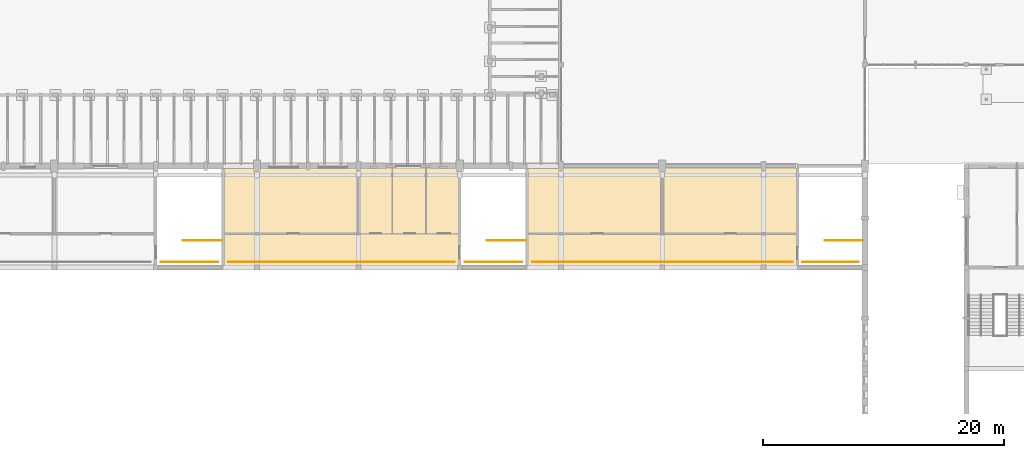
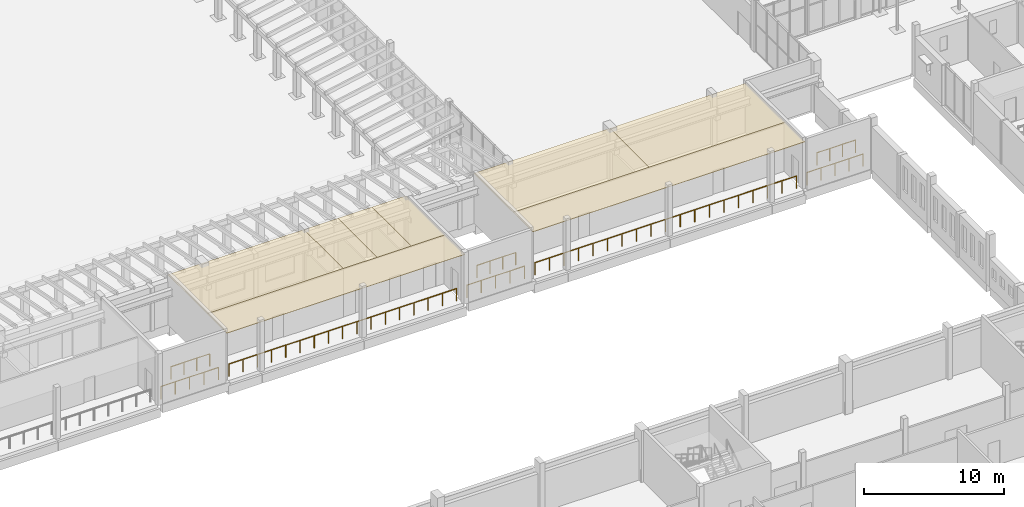
# One storey, part 54 of 60: 8 coverings, 8 railings.
"""IFC4 building model written with IfcOpenShell, lengths in metres."""

from ifc_helpers import new_model, si_unit, direction, frame, origin, origin_2d, place, context, subcontext, project, spatial, rectangle, circle, extrude, material, type_object, element, save


model = new_model("IFC4")

# Units and contexts
model_context = context("Model", 3, precision=1e-05, world=origin(), true_north=direction((0.0, 1.0)))
body_context = subcontext(model_context, "Body", "Model", "MODEL_VIEW")
ifc_project = project(units=[si_unit("LENGTHUNIT", "METRE"), si_unit("AREAUNIT", "SQUARE_METRE"), si_unit("VOLUMEUNIT", "CUBIC_METRE"), si_unit("PLANEANGLEUNIT", "RADIAN"), si_unit("MASSUNIT", "GRAM", prefix="KILO")], contexts=[model_context])

# Site, building, storey
site_placement = place(None, origin())
site = spatial("IfcSite", under=ifc_project, at=site_placement, CompositionType="ELEMENT")
building_placement = place(site_placement, origin())
building = spatial("IfcBuilding", under=site, at=building_placement, Name="Fescue Hill Polytechnic", CompositionType="ELEMENT")
storey_placement = place(building_placement, frame((0.0, 0.0, 4.5)))
storey = spatial("IfcBuildingStorey", under=building, at=storey_placement, Name="L01", CompositionType="ELEMENT", Elevation=4.5)

# Railings
ifc_material = material(Name="Steel 350W (350 MPa)", Category="steel")
railing_type_1 = type_object("IfcRailingType", Name="Stair guard steel 1100", PredefinedType="GUARDRAIL", material=ifc_material)
railing_1_placement = place(storey_placement, frame((64.27490234375, 44.22509765625, 0.0)))
element("IfcRailing", 1, at=railing_1_placement, inside=storey, type_object=railing_type_1, Name="L01 ST-V1-7 well guard 1", PredefinedType="GUARDRAIL", context=body_context, shape_type="SweptSolid", body=[
    extrude(circle(Radius=0.02392578125, at=origin_2d()), frame((0.0, 0.0, 1.076171875), z_axis=(-1.0, 0.0, 0.0), x_axis=(0.0, -1.0, 0.0)), (0.0, 0.0, 1.0), 3.199951171875),
    extrude(circle(Radius=0.02099609375, at=origin_2d()), origin(), (0.0, 0.0, 1.0), 1.052001953125),
    extrude(circle(Radius=0.02099609375, at=origin_2d()), frame((-1.066650390625, 0.0, 0.0)), (0.0, 0.0, 1.0), 1.052001953125),
    extrude(circle(Radius=0.02099609375, at=origin_2d()), frame((-2.13330078125, 0.0, 0.0)), (0.0, 0.0, 1.0), 1.052001953125),
    extrude(circle(Radius=0.02099609375, at=origin_2d()), frame((-3.199951171875, 0.0, 0.0)), (0.0, 0.0, 1.0), 1.052001953125),
])
railing_2_placement = place(storey_placement, frame((89.47509765625, 44.22509765625, 0.0)))
element("IfcRailing", 2, at=railing_2_placement, inside=storey, type_object=railing_type_1, Name="L01 ST-V1-8 well guard 1", PredefinedType="GUARDRAIL", context=body_context, shape_type="SweptSolid", body=[
    extrude(circle(Radius=0.02392578125, at=origin_2d()), frame((0.0, 0.0, 1.076171875), z_axis=(-1.0, 0.0, 0.0), x_axis=(0.0, -1.0, 0.0)), (0.0, 0.0, 1.0), 3.2001953125),
    extrude(circle(Radius=0.02099609375, at=origin_2d()), origin(), (0.0, 0.0, 1.0), 1.052001953125),
    extrude(circle(Radius=0.02099609375, at=origin_2d()), frame((-1.066650390625, 0.0, 0.0)), (0.0, 0.0, 1.0), 1.052001953125),
    extrude(circle(Radius=0.02099609375, at=origin_2d()), frame((-2.133544921875, 0.0, 0.0)), (0.0, 0.0, 1.0), 1.052001953125),
    extrude(circle(Radius=0.02099609375, at=origin_2d()), frame((-3.2001953125, 0.0, 0.0)), (0.0, 0.0, 1.0), 1.052001953125),
])
railing_3_placement = place(storey_placement, frame((117.449951171875, 44.22509765625, 0.0)))
element("IfcRailing", 3, at=railing_3_placement, inside=storey, type_object=railing_type_1, Name="L01 ST-V1-9 well guard 1", PredefinedType="GUARDRAIL", context=body_context, shape_type="SweptSolid", body=[
    extrude(circle(Radius=0.02392578125, at=origin_2d()), frame((0.0, 0.0, 1.076171875), z_axis=(-1.0, 0.0, 0.0), x_axis=(0.0, -1.0, 0.0)), (0.0, 0.0, 1.0), 3.175048828125),
    extrude(circle(Radius=0.02099609375, at=origin_2d()), origin(), (0.0, 0.0, 1.0), 1.052001953125),
    extrude(circle(Radius=0.02099609375, at=origin_2d()), frame((-1.058349609375, 0.0, 0.0)), (0.0, 0.0, 1.0), 1.052001953125),
    extrude(circle(Radius=0.02099609375, at=origin_2d()), frame((-2.11669921875, 0.0, 0.0)), (0.0, 0.0, 1.0), 1.052001953125),
    extrude(circle(Radius=0.02099609375, at=origin_2d()), frame((-3.175048828125, 0.0, 0.0)), (0.0, 0.0, 1.0), 1.052001953125),
])
railing_type_2 = type_object("IfcRailingType", Name="Void edge guard steel 1100", PredefinedType="GUARDRAIL", material=ifc_material)
railing_4_placement = place(storey_placement, frame((59.22509765625, 42.449951171875, 0.0)))
element("IfcRailing", 4, at=railing_4_placement, inside=storey, type_object=railing_type_2, Name="L01 V1 void edge guard 11", PredefinedType="GUARDRAIL", context=body_context, shape_type="SweptSolid", body=[
    extrude(circle(Radius=0.02392578125, at=origin_2d()), frame((0.0, 0.0, 1.076171875), z_axis=(1.0, 0.0, 0.0), x_axis=(0.0, 1.0, 0.0)), (0.0, 0.0, 1.0), 4.75),
    extrude(circle(Radius=0.02099609375, at=origin_2d()), origin(), (0.0, 0.0, 1.0), 1.052001953125),
    extrude(circle(Radius=0.02099609375, at=origin_2d()), frame((1.1875, 0.0, 0.0)), (0.0, 0.0, 1.0), 1.052001953125),
    extrude(circle(Radius=0.02099609375, at=origin_2d()), frame((2.375, 0.0, 0.0)), (0.0, 0.0, 1.0), 1.052001953125),
    extrude(circle(Radius=0.02099609375, at=origin_2d()), frame((3.5625, 0.0, 0.0)), (0.0, 0.0, 1.0), 1.052001953125),
    extrude(circle(Radius=0.02099609375, at=origin_2d()), frame((4.75, 0.0, 0.0)), (0.0, 0.0, 1.0), 1.052001953125),
])
railing_5_placement = place(storey_placement, frame((64.824951171875, 42.449951171875, 0.0)))
element("IfcRailing", 5, at=railing_5_placement, inside=storey, type_object=railing_type_2, Name="L01 V1 void edge guard 12", PredefinedType="GUARDRAIL", context=body_context, shape_type="SweptSolid", body=[
    extrude(circle(Radius=0.02392578125, at=origin_2d()), frame((0.0, 0.0, 1.076171875), z_axis=(1.0, 0.0, 0.0), x_axis=(0.0, 1.0, 0.0)), (0.0, 0.0, 1.0), 18.75),
    extrude(circle(Radius=0.02099609375, at=origin_2d()), origin(), (0.0, 0.0, 1.0), 1.052001953125),
    extrude(circle(Radius=0.02099609375, at=origin_2d()), frame((1.171875, 0.0, 0.0)), (0.0, 0.0, 1.0), 1.052001953125),
    extrude(circle(Radius=0.02099609375, at=origin_2d()), frame((2.34375, 0.0, 0.0)), (0.0, 0.0, 1.0), 1.052001953125),
    extrude(circle(Radius=0.02099609375, at=origin_2d()), frame((3.515625, 0.0, 0.0)), (0.0, 0.0, 1.0), 1.052001953125),
    extrude(circle(Radius=0.02099609375, at=origin_2d()), frame((4.6875, 0.0, 0.0)), (0.0, 0.0, 1.0), 1.052001953125),
    extrude(circle(Radius=0.02099609375, at=origin_2d()), frame((5.859375, 0.0, 0.0)), (0.0, 0.0, 1.0), 1.052001953125),
    extrude(circle(Radius=0.02099609375, at=origin_2d()), frame((7.03125, 0.0, 0.0)), (0.0, 0.0, 1.0), 1.052001953125),
    extrude(circle(Radius=0.02099609375, at=origin_2d()), frame((8.203125, 0.0, 0.0)), (0.0, 0.0, 1.0), 1.052001953125),
    extrude(circle(Radius=0.02099609375, at=origin_2d()), frame((9.375, 0.0, 0.0)), (0.0, 0.0, 1.0), 1.052001953125),
    extrude(circle(Radius=0.02099609375, at=origin_2d()), frame((10.546875, 0.0, 0.0)), (0.0, 0.0, 1.0), 1.052001953125),
    extrude(circle(Radius=0.02099609375, at=origin_2d()), frame((11.71875, 0.0, 0.0)), (0.0, 0.0, 1.0), 1.052001953125),
    extrude(circle(Radius=0.02099609375, at=origin_2d()), frame((12.890625, 0.0, 0.0)), (0.0, 0.0, 1.0), 1.052001953125),
    extrude(circle(Radius=0.02099609375, at=origin_2d()), frame((14.0625, 0.0, 0.0)), (0.0, 0.0, 1.0), 1.052001953125),
    extrude(circle(Radius=0.02099609375, at=origin_2d()), frame((15.234375, 0.0, 0.0)), (0.0, 0.0, 1.0), 1.052001953125),
    extrude(circle(Radius=0.02099609375, at=origin_2d()), frame((16.40625, 0.0, 0.0)), (0.0, 0.0, 1.0), 1.052001953125),
    extrude(circle(Radius=0.02099609375, at=origin_2d()), frame((17.578125, 0.0, 0.0)), (0.0, 0.0, 1.0), 1.052001953125),
    extrude(circle(Radius=0.02099609375, at=origin_2d()), frame((18.75, 0.0, 0.0)), (0.0, 0.0, 1.0), 1.052001953125),
])
railing_6_placement = place(storey_placement, frame((84.425048828125, 42.449951171875, 0.0)))
element("IfcRailing", 6, at=railing_6_placement, inside=storey, type_object=railing_type_2, Name="L01 V1 void edge guard 13", PredefinedType="GUARDRAIL", context=body_context, shape_type="SweptSolid", body=[
    extrude(circle(Radius=0.02392578125, at=origin_2d()), frame((0.0, 0.0, 1.076171875), z_axis=(1.0, 0.0, 0.0), x_axis=(0.0, 1.0, 0.0)), (0.0, 0.0, 1.0), 4.75),
    extrude(circle(Radius=0.02099609375, at=origin_2d()), origin(), (0.0, 0.0, 1.0), 1.052001953125),
    extrude(circle(Radius=0.02099609375, at=origin_2d()), frame((1.1875, 0.0, 0.0)), (0.0, 0.0, 1.0), 1.052001953125),
    extrude(circle(Radius=0.02099609375, at=origin_2d()), frame((2.375, 0.0, 0.0)), (0.0, 0.0, 1.0), 1.052001953125),
    extrude(circle(Radius=0.02099609375, at=origin_2d()), frame((3.5625, 0.0, 0.0)), (0.0, 0.0, 1.0), 1.052001953125),
    extrude(circle(Radius=0.02099609375, at=origin_2d()), frame((4.75, 0.0, 0.0)), (0.0, 0.0, 1.0), 1.052001953125),
])
railing_7_placement = place(storey_placement, frame((90.02490234375, 42.449951171875, 0.0)))
element("IfcRailing", 7, at=railing_7_placement, inside=storey, type_object=railing_type_2, Name="L01 V1 void edge guard 14", PredefinedType="GUARDRAIL", context=body_context, shape_type="SweptSolid", body=[
    extrude(circle(Radius=0.02392578125, at=origin_2d()), frame((0.0, 0.0, 1.076171875), z_axis=(1.0, 0.0, 0.0), x_axis=(0.0, 1.0, 0.0)), (0.0, 0.0, 1.0), 21.550048828125),
    extrude(circle(Radius=0.02099609375, at=origin_2d()), origin(), (0.0, 0.0, 1.0), 1.052001953125),
    extrude(circle(Radius=0.02099609375, at=origin_2d()), frame((1.197265625, 0.0, 0.0)), (0.0, 0.0, 1.0), 1.052001953125),
    extrude(circle(Radius=0.02099609375, at=origin_2d()), frame((2.39453125, 0.0, 0.0)), (0.0, 0.0, 1.0), 1.052001953125),
    extrude(circle(Radius=0.02099609375, at=origin_2d()), frame((3.591796875, 0.0, 0.0)), (0.0, 0.0, 1.0), 1.052001953125),
    extrude(circle(Radius=0.02099609375, at=origin_2d()), frame((4.788818359375, 0.0, 0.0)), (0.0, 0.0, 1.0), 1.052001953125),
    extrude(circle(Radius=0.02099609375, at=origin_2d()), frame((5.986083984375, 0.0, 0.0)), (0.0, 0.0, 1.0), 1.052001953125),
    extrude(circle(Radius=0.02099609375, at=origin_2d()), frame((7.183349609375, 0.0, 0.0)), (0.0, 0.0, 1.0), 1.052001953125),
    extrude(circle(Radius=0.02099609375, at=origin_2d()), frame((8.380615234375, 0.0, 0.0)), (0.0, 0.0, 1.0), 1.052001953125),
    extrude(circle(Radius=0.02099609375, at=origin_2d()), frame((9.577880859375, 0.0, 0.0)), (0.0, 0.0, 1.0), 1.052001953125),
    extrude(circle(Radius=0.02099609375, at=origin_2d()), frame((10.77490234375, 0.0, 0.0)), (0.0, 0.0, 1.0), 1.052001953125),
    extrude(circle(Radius=0.02099609375, at=origin_2d()), frame((11.97216796875, 0.0, 0.0)), (0.0, 0.0, 1.0), 1.052001953125),
    extrude(circle(Radius=0.02099609375, at=origin_2d()), frame((13.16943359375, 0.0, 0.0)), (0.0, 0.0, 1.0), 1.052001953125),
    extrude(circle(Radius=0.02099609375, at=origin_2d()), frame((14.36669921875, 0.0, 0.0)), (0.0, 0.0, 1.0), 1.052001953125),
    extrude(circle(Radius=0.02099609375, at=origin_2d()), frame((15.56396484375, 0.0, 0.0)), (0.0, 0.0, 1.0), 1.052001953125),
    extrude(circle(Radius=0.02099609375, at=origin_2d()), frame((16.76123046875, 0.0, 0.0)), (0.0, 0.0, 1.0), 1.052001953125),
    extrude(circle(Radius=0.02099609375, at=origin_2d()), frame((17.95849609375, 0.0, 0.0)), (0.0, 0.0, 1.0), 1.052001953125),
    extrude(circle(Radius=0.02099609375, at=origin_2d()), frame((19.155517578125, 0.0, 0.0)), (0.0, 0.0, 1.0), 1.052001953125),
    extrude(circle(Radius=0.02099609375, at=origin_2d()), frame((20.352783203125, 0.0, 0.0)), (0.0, 0.0, 1.0), 1.052001953125),
    extrude(circle(Radius=0.02099609375, at=origin_2d()), frame((21.550048828125, 0.0, 0.0)), (0.0, 0.0, 1.0), 1.052001953125),
])
railing_8_placement = place(storey_placement, frame((112.425048828125, 42.449951171875, 0.0)))
element("IfcRailing", 8, at=railing_8_placement, inside=storey, type_object=railing_type_2, Name="L01 V1 void edge guard 15", PredefinedType="GUARDRAIL", context=body_context, shape_type="SweptSolid", body=[
    extrude(circle(Radius=0.02392578125, at=origin_2d()), frame((0.0, 0.0, 1.076171875), z_axis=(1.0, 0.0, 0.0), x_axis=(0.0, 1.0, 0.0)), (0.0, 0.0, 1.0), 4.635009765625),
    extrude(circle(Radius=0.02099609375, at=origin_2d()), origin(), (0.0, 0.0, 1.0), 1.052001953125),
    extrude(circle(Radius=0.02099609375, at=origin_2d()), frame((1.15869140625, 0.0, 0.0)), (0.0, 0.0, 1.0), 1.052001953125),
    extrude(circle(Radius=0.02099609375, at=origin_2d()), frame((2.3173828125, 0.0, 0.0)), (0.0, 0.0, 1.0), 1.052001953125),
    extrude(circle(Radius=0.02099609375, at=origin_2d()), frame((3.476318359375, 0.0, 0.0)), (0.0, 0.0, 1.0), 1.052001953125),
    extrude(circle(Radius=0.02099609375, at=origin_2d()), frame((4.635009765625, 0.0, 0.0)), (0.0, 0.0, 1.0), 1.052001953125),
])

# Coverings
covering_1_placement = place(storey_placement, frame((74.199951171875, 43.39990234375, 4.14990234375), z_axis=(0.0, 0.0, 1.0), x_axis=(1.0, 0.0, 0.0)))
element("IfcCovering", 9, at=covering_1_placement, inside=storey, Name="Ceiling Gallery Walk Corridor 1.33", PredefinedType="CEILING", context=body_context, shape_type="SweptSolid", body=[
    extrude(rectangle(XDim=19.60009765625, YDim=2.800048828125, at=origin_2d()), origin(), (0.0, 0.0, 1.0), 0.0400390625),
])
covering_2_placement = place(storey_placement, frame((100.800048828125, 43.39990234375, 4.14990234375), z_axis=(0.0, 0.0, 1.0), x_axis=(1.0, 0.0, 0.0)))
element("IfcCovering", 10, at=covering_2_placement, inside=storey, Name="Ceiling Gallery Walk Corridor 1.34", PredefinedType="CEILING", context=body_context, shape_type="SweptSolid", body=[
    extrude(rectangle(XDim=22.39990234375, YDim=2.800048828125, at=origin_2d()), origin(), (0.0, 0.0, 1.0), 0.0400390625),
])
covering_3_placement = place(storey_placement, frame((70.0, 47.60009765625, 4.14990234375), z_axis=(0.0, 0.0, 1.0), x_axis=(1.0, 0.0, 0.0)))
element("IfcCovering", 11, at=covering_3_placement, inside=storey, Name="Ceiling Learning Studio 1.40", PredefinedType="CEILING", context=body_context, shape_type="SweptSolid", body=[
    extrude(rectangle(XDim=11.199951171875, YDim=5.60009765625, at=origin_2d()), origin(), (0.0, 0.0, 1.0), 0.0400390625),
])
for number, where, z_axis, x_axis, name in (
    (12, (77.0, 47.60009765625, 4.14990234375), (0.0, 0.0, 1.0), (1.0, 0.0, 0.0), "Ceiling Women WC 1.41"),
    (13, (79.800048828125, 47.60009765625, 4.14990234375), (0.0, 0.0, 1.0), (1.0, 0.0, 0.0), "Ceiling Men WC 1.42"),
    (14, (82.60009765625, 47.60009765625, 4.14990234375), (0.0, 0.0, 1.0), (1.0, 0.0, 0.0), "Ceiling Accessible WC 1.43"),
):
    element("IfcCovering", number, at=place(storey_placement, frame(where, z_axis=z_axis, x_axis=x_axis)), inside=storey, Name=name, PredefinedType="CEILING", context=body_context, shape_type="SweptSolid", body=[
        extrude(rectangle(XDim=2.800048828125, YDim=5.60009765625, at=origin_2d()), origin(), (0.0, 0.0, 1.0), 0.0400390625),
    ])
for number, where, z_axis, x_axis, name in (
    (15, (95.199951171875, 47.60009765625, 4.14990234375), (0.0, 0.0, 1.0), (1.0, 0.0, 0.0), "Ceiling Seminar Room 1.44"),
    (16, (106.39990234375, 47.60009765625, 4.14990234375), (0.0, 0.0, 1.0), (1.0, 0.0, 0.0), "Ceiling Design Studio 1.45"),
):
    element("IfcCovering", number, at=place(storey_placement, frame(where, z_axis=z_axis, x_axis=x_axis)), inside=storey, Name=name, PredefinedType="CEILING", context=body_context, shape_type="SweptSolid", body=[
        extrude(rectangle(XDim=11.199951171875, YDim=5.60009765625, at=origin_2d()), origin(), (0.0, 0.0, 1.0), 0.0400390625),
    ])

save(model, "model.ifc")
